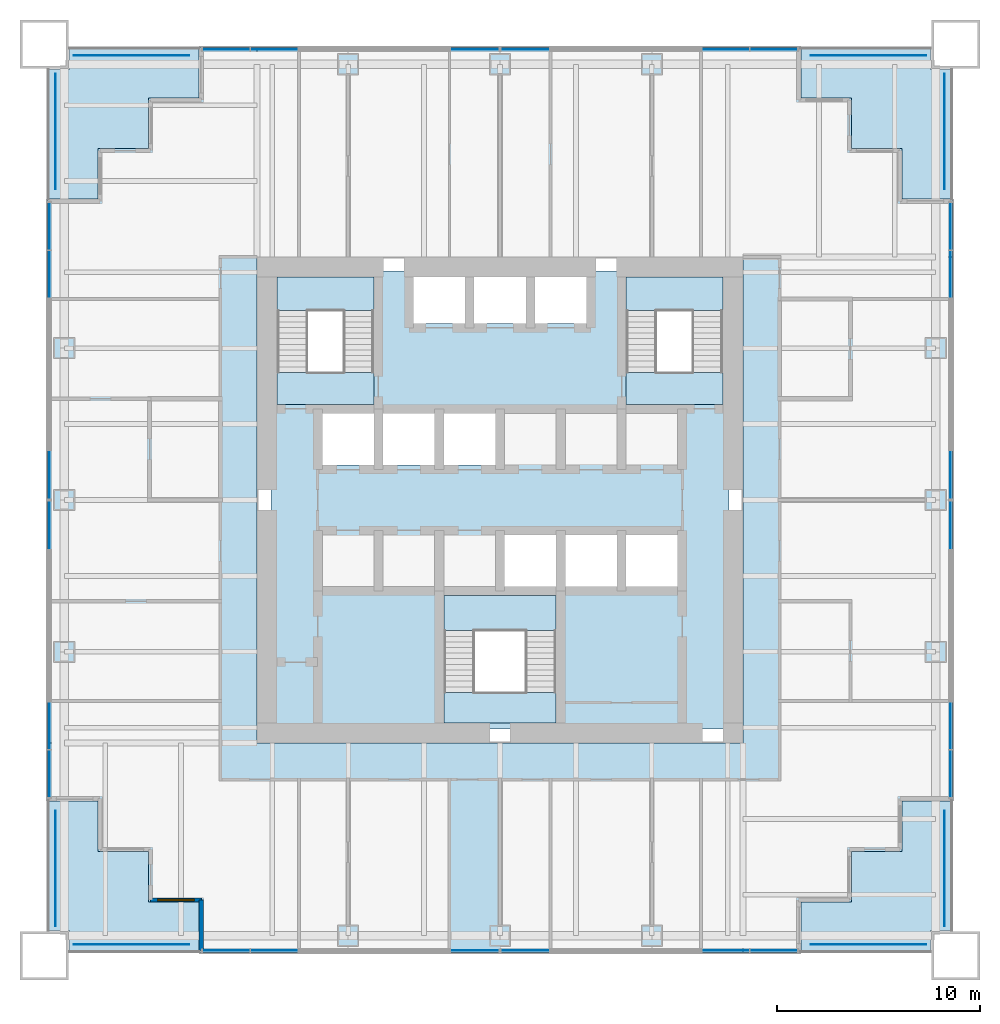
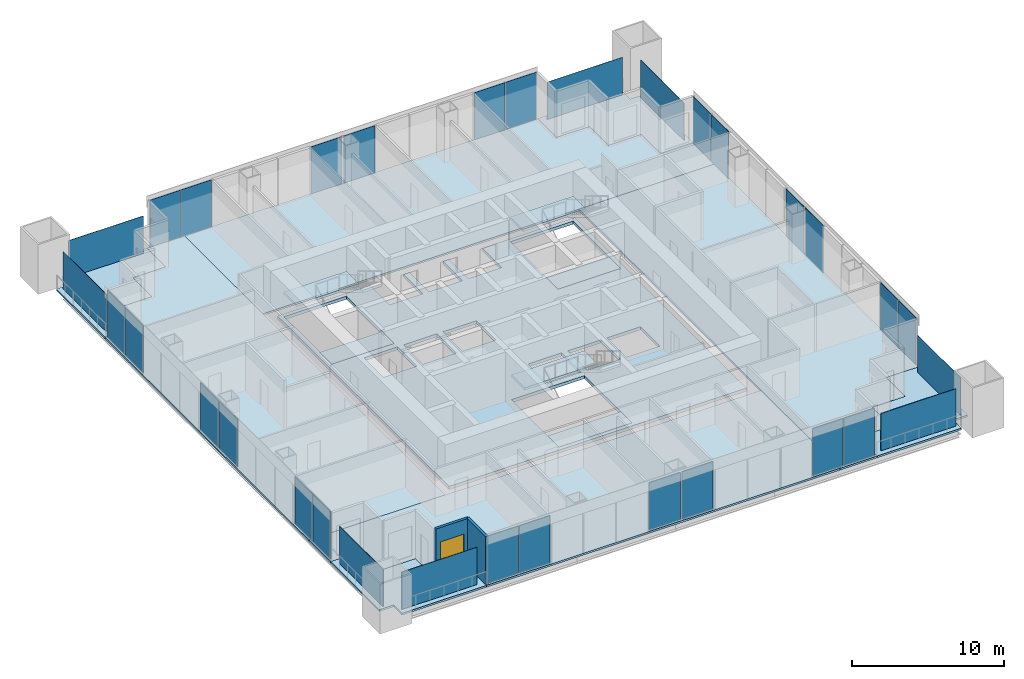
# One storey, part 7 of 13: 32 plates, 15 slabs, 2 walls, 1 window, 1 opening, 19 elements without a shape of their own.
"""IFC4 building model written with IfcOpenShell, lengths in metres."""

from ifc_helpers import new_model, si_unit, direction, frame, frame_2d, origin, origin_2d, place, context, subcontext, project, spatial, polyline, rectangle, outline, extrude, material, layer, layer_set, type_object, element, fill, aggregate, save


model = new_model("IFC4")

# Units and contexts
model_context = context("Model", 3, precision=1e-05, world=origin(), true_north=direction((0.0, 1.0)))
body_context = subcontext(model_context, "Body", "Model", "MODEL_VIEW")
ifc_project = project(units=[si_unit("LENGTHUNIT", "METRE"), si_unit("AREAUNIT", "SQUARE_METRE"), si_unit("VOLUMEUNIT", "CUBIC_METRE"), si_unit("PLANEANGLEUNIT", "RADIAN"), si_unit("MASSUNIT", "GRAM", prefix="KILO")], contexts=[model_context])

# Site, building, storey
site_placement = place(None, origin())
site = spatial("IfcSite", under=ifc_project, at=site_placement, CompositionType="ELEMENT")
building_placement = place(site_placement, origin())
building = spatial("IfcBuilding", under=site, at=building_placement, Name="Tarangal Relay Tower", CompositionType="ELEMENT")
storey_placement = place(building_placement, frame((0.0, 0.0, 189.89990234375)))
storey = spatial("IfcBuildingStorey", under=building, at=storey_placement, Name="L39", CompositionType="ELEMENT", Elevation=189.89990234375)

# Slabs
ifc_material_1 = material(Name="Concrete fc' 35 MPa", Category="concrete")
ifc_layer_1 = layer(ifc_material_1, 0.25)
ifc_layer_set_1 = layer_set([ifc_layer_1], Name="Core floor slab 250")
slab_type_1 = type_object("IfcSlabType", Name="Core floor slab 250", PredefinedType="FLOOR", material=ifc_layer_set_1)
slab_1_placement = place(storey_placement, frame((0.0, 0.0, -0.25)))
element("IfcSlab", 1, at=slab_1_placement, inside=storey, type_object=slab_type_1, Name="Core floor slab L39", PredefinedType="FLOOR", context=body_context, shape_type="SweptSolid", body=[
    extrude(outline(polyline([(11.300048828125, 11.300048828125), (11.300048828125, -11.300048828125), (-11.300048828125, -11.300048828125), (-11.300048828125, 11.300048828125), (-4.27490234375, 11.300048828125), (-4.27490234375, 8.72509765625), (-1.72509765625, 8.72509765625), (-1.72509765625, 11.300048828125), (-1.27490234375, 11.300048828125), (-1.27490234375, 8.72509765625), (1.27490234375, 8.72509765625), (1.27490234375, 11.300048828125), (1.72509765625, 11.300048828125), (1.72509765625, 8.72509765625), (4.27490234375, 8.72509765625), (4.27490234375, 11.300048828125), (11.300048828125, 11.300048828125)]), holes=[polyline([(-6.22509765625, 4.27490234375), (-8.77490234375, 4.27490234375), (-8.77490234375, 1.72509765625), (-6.22509765625, 1.72509765625), (-6.22509765625, 4.27490234375)]), polyline([(-3.22509765625, 1.72509765625), (-3.22509765625, 4.27490234375), (-5.77490234375, 4.27490234375), (-5.77490234375, 1.72509765625), (-3.22509765625, 1.72509765625)]), polyline([(-0.22509765625, 1.72509765625), (-0.22509765625, 4.27490234375), (-2.77490234375, 4.27490234375), (-2.77490234375, 1.72509765625), (-0.22509765625, 1.72509765625)]), polyline([(-6.22509765625, 11.0), (-11.0, 11.0), (-11.0, 4.72509765625), (-6.22509765625, 4.72509765625), (-6.22509765625, 11.0)]), polyline([(2.77490234375, -4.72509765625), (-2.77490234375, -4.72509765625), (-2.77490234375, -11.0), (2.77490234375, -11.0), (2.77490234375, -4.72509765625)]), polyline([(2.77490234375, -4.27490234375), (2.77490234375, -1.72509765625), (0.22509765625, -1.72509765625), (0.22509765625, -4.27490234375), (2.77490234375, -4.27490234375)]), polyline([(5.77490234375, -4.27490234375), (5.77490234375, -1.72509765625), (3.22509765625, -1.72509765625), (3.22509765625, -4.27490234375), (5.77490234375, -4.27490234375)]), polyline([(8.77490234375, -1.72509765625), (6.22509765625, -1.72509765625), (6.22509765625, -4.27490234375), (8.77490234375, -4.27490234375), (8.77490234375, -1.72509765625)]), polyline([(11.0, 4.72509765625), (11.0, 11.0), (6.22509765625, 11.0), (6.22509765625, 4.72509765625), (11.0, 4.72509765625)])]), origin(), (0.0, 0.0, 1.0), 0.25),
])
ifc_layer_2 = layer(ifc_material_1, 0.14990234375)
ifc_layer_set_2 = layer_set([ifc_layer_2], Name="Floor slab 150")
slab_type_2 = type_object("IfcSlabType", Name="Floor slab 150", PredefinedType="FLOOR", material=ifc_layer_set_2)
slab_2_placement = place(storey_placement, frame((0.0, 0.0, -0.14990234375)))
element("IfcSlab", 2, at=slab_2_placement, inside=storey, type_object=slab_type_2, Name="Floor slab FS3 L39 north bay", PredefinedType="FLOOR", context=body_context, shape_type="SweptSolid", body=[
    extrude(outline(polyline([(14.85009765625, 22.35009765625), (14.85009765625, 19.85009765625), (17.35009765625, 19.85009765625), (17.35009765625, 17.35009765625), (19.85009765625, 17.35009765625), (19.85009765625, 14.85009765625), (22.35009765625, 14.85009765625), (22.35009765625, 12.0), (-12.0, 12.0), (-12.0, 22.35009765625), (14.85009765625, 22.35009765625)])), origin(), (0.0, 0.0, 1.0), 0.14990234375),
])
slab_3_placement = place(storey_placement, frame((0.0, 0.0, -0.14990234375)))
element("IfcSlab", 3, at=slab_3_placement, inside=storey, type_object=slab_type_2, Name="Floor slab FS3 L39 east bay", PredefinedType="FLOOR", context=body_context, shape_type="SweptSolid", body=[
    extrude(outline(polyline([(22.35009765625, -14.85009765625), (19.85009765625, -14.85009765625), (19.85009765625, -17.35009765625), (17.35009765625, -17.35009765625), (17.35009765625, -19.85009765625), (14.85009765625, -19.85009765625), (14.85009765625, -22.35009765625), (12.0, -22.35009765625), (12.0, 12.0), (22.35009765625, 12.0), (22.35009765625, -14.85009765625)])), origin(), (0.0, 0.0, 1.0), 0.14990234375),
])
slab_4_placement = place(storey_placement, frame((0.0, 0.0, -0.14990234375)))
element("IfcSlab", 4, at=slab_4_placement, inside=storey, type_object=slab_type_2, Name="Floor slab FS3 L39 south bay", PredefinedType="FLOOR", context=body_context, shape_type="SweptSolid", body=[
    extrude(outline(polyline([(-14.85009765625, -22.35009765625), (-14.85009765625, -19.85009765625), (-17.35009765625, -19.85009765625), (-17.35009765625, -17.35009765625), (-19.85009765625, -17.35009765625), (-19.85009765625, -14.85009765625), (-22.35009765625, -14.85009765625), (-22.35009765625, -12.0), (12.0, -12.0), (12.0, -22.35009765625), (-14.85009765625, -22.35009765625)])), origin(), (0.0, 0.0, 1.0), 0.14990234375),
])
slab_5_placement = place(storey_placement, frame((0.0, 0.0, -0.14990234375)))
element("IfcSlab", 5, at=slab_5_placement, inside=storey, type_object=slab_type_2, Name="Floor slab FS3 L39 west bay", PredefinedType="FLOOR", context=body_context, shape_type="SweptSolid", body=[
    extrude(outline(polyline([(-12.0, 22.35009765625), (-12.0, -12.0), (-22.35009765625, -12.0), (-22.35009765625, 14.85009765625), (-19.85009765625, 14.85009765625), (-19.85009765625, 17.35009765625), (-17.35009765625, 17.35009765625), (-17.35009765625, 19.85009765625), (-14.85009765625, 19.85009765625), (-14.85009765625, 22.35009765625), (-12.0, 22.35009765625)])), origin(), (0.0, 0.0, 1.0), 0.14990234375),
])

# Curtain wall, plates
ifc_material_2 = material(Name="Unitised curtain wall, dark glass and black aluminium", Category="aluminium")
curtain_wall_type = type_object("IfcCurtainWallType", Name="Curtain wall CW-A", PredefinedType="USERDEFINED", material=ifc_material_2)
curtain_wall_1_placement = place(storey_placement, origin())
curtain_wall_1 = element("IfcCurtainWall", 6, at=curtain_wall_1_placement, inside=storey, type_object=curtain_wall_type, Name="Curtain wall CW-A N facade L39", ObjectType="UNITISED CURTAIN WALL", PredefinedType="USERDEFINED")
ifc_material_3 = material(Name="Dark tinted insulated glass unit", Category="glass")
ifc_layer_3 = layer(ifc_material_3, 0.031982421875)
ifc_layer_set_3 = layer_set([ifc_layer_3], Name="Glazed panel CW-A 32")
plate_type_1 = type_object("IfcPlateType", Name="Glazed panel CW-A 32", PredefinedType="CURTAIN_PANEL", material=ifc_layer_set_3)
plate_1_placement = place(storey_placement, frame((-13.525390625, 22.25, 0.06494140625), z_axis=(0.0, 0.0, 1.0), x_axis=(1.0, 0.0, 0.0)))
plate_1 = element("IfcPlate", 7, at=plate_1_placement, type_object=plate_type_1, Name="CW-A panel 1.1", PredefinedType="CURTAIN_PANEL", context=body_context, shape_type="SweptSolid", body=[
    extrude(rectangle(XDim=2.319091796875, YDim=0.031982421875, at=origin_2d()), origin(), (0.0, 0.0, 1.0), 3.784912109375),
])
plate_2_placement = place(storey_placement, frame((-11.141357421875, 22.25, 0.06494140625), z_axis=(0.0, 0.0, 1.0), x_axis=(1.0, 0.0, 0.0)))
plate_2 = element("IfcPlate", 8, at=plate_2_placement, type_object=plate_type_1, Name="CW-A panel 2.1", PredefinedType="CURTAIN_PANEL", context=body_context, shape_type="SweptSolid", body=[
    extrude(rectangle(XDim=2.319091796875, YDim=0.031982421875, at=origin_2d()), origin(), (0.0, 0.0, 1.0), 3.784912109375),
])
aggregate(curtain_wall_1, [plate_1, plate_2])

# Curtain wall, plate
curtain_wall_2_placement = place(storey_placement, origin())
curtain_wall_2 = element("IfcCurtainWall", 9, at=curtain_wall_2_placement, inside=storey, type_object=curtain_wall_type, Name="Curtain wall CW-A N facade L39", ObjectType="UNITISED CURTAIN WALL", PredefinedType="USERDEFINED")
plate_3_placement = place(storey_placement, frame((-1.25, 22.25, 0.06494140625), z_axis=(0.0, 0.0, 1.0), x_axis=(1.0, 0.0, 0.0)))
plate_3 = element("IfcPlate", 10, at=plate_3_placement, type_object=plate_type_1, Name="CW-A panel 1.1", PredefinedType="CURTAIN_PANEL", context=body_context, shape_type="SweptSolid", body=[
    extrude(rectangle(XDim=2.3701171875, YDim=0.031982421875, at=origin_2d()), origin(), (0.0, 0.0, 1.0), 3.784912109375),
])
aggregate(curtain_wall_2, [plate_3])

curtain_wall_3_placement = place(storey_placement, origin())
curtain_wall_3 = element("IfcCurtainWall", 11, at=curtain_wall_3_placement, inside=storey, type_object=curtain_wall_type, Name="Curtain wall CW-A N facade L39", ObjectType="UNITISED CURTAIN WALL", PredefinedType="USERDEFINED")
plate_4_placement = place(storey_placement, frame((1.25, 22.25, 0.06494140625), z_axis=(0.0, 0.0, 1.0), x_axis=(1.0, 0.0, 0.0)))
plate_4 = element("IfcPlate", 12, at=plate_4_placement, type_object=plate_type_1, Name="CW-A panel 1.1", PredefinedType="CURTAIN_PANEL", context=body_context, shape_type="SweptSolid", body=[
    extrude(rectangle(XDim=2.3701171875, YDim=0.031982421875, at=origin_2d()), origin(), (0.0, 0.0, 1.0), 3.784912109375),
])
aggregate(curtain_wall_3, [plate_4])

# Curtain wall, plates
curtain_wall_4_placement = place(storey_placement, origin())
curtain_wall_4 = element("IfcCurtainWall", 13, at=curtain_wall_4_placement, inside=storey, type_object=curtain_wall_type, Name="Curtain wall CW-A N facade L39", ObjectType="UNITISED CURTAIN WALL", PredefinedType="USERDEFINED")
plate_5_placement = place(storey_placement, frame((11.141357421875, 22.25, 0.06494140625), z_axis=(0.0, 0.0, 1.0), x_axis=(1.0, 0.0, 0.0)))
plate_5 = element("IfcPlate", 14, at=plate_5_placement, type_object=plate_type_1, Name="CW-A panel 1.1", PredefinedType="CURTAIN_PANEL", context=body_context, shape_type="SweptSolid", body=[
    extrude(rectangle(XDim=2.319091796875, YDim=0.031982421875, at=origin_2d()), origin(), (0.0, 0.0, 1.0), 3.784912109375),
])
plate_6_placement = place(storey_placement, frame((13.525390625, 22.25, 0.06494140625), z_axis=(0.0, 0.0, 1.0), x_axis=(1.0, 0.0, 0.0)))
plate_6 = element("IfcPlate", 15, at=plate_6_placement, type_object=plate_type_1, Name="CW-A panel 2.1", PredefinedType="CURTAIN_PANEL", context=body_context, shape_type="SweptSolid", body=[
    extrude(rectangle(XDim=2.319091796875, YDim=0.031982421875, at=origin_2d()), origin(), (0.0, 0.0, 1.0), 3.784912109375),
])
aggregate(curtain_wall_4, [plate_5, plate_6])

curtain_wall_5_placement = place(storey_placement, origin())
curtain_wall_5 = element("IfcCurtainWall", 16, at=curtain_wall_5_placement, inside=storey, type_object=curtain_wall_type, Name="Curtain wall CW-A E facade L39", ObjectType="UNITISED CURTAIN WALL", PredefinedType="USERDEFINED")
plate_7_placement = place(storey_placement, frame((22.25, 13.525390625, 0.06494140625), z_axis=(0.0, 0.0, 1.0), x_axis=(0.0, -1.0, 0.0)))
plate_7 = element("IfcPlate", 17, at=plate_7_placement, type_object=plate_type_1, Name="CW-A panel 1.1", PredefinedType="CURTAIN_PANEL", context=body_context, shape_type="SweptSolid", body=[
    extrude(rectangle(XDim=2.319091796875, YDim=0.031982421875, at=origin_2d()), origin(), (0.0, 0.0, 1.0), 3.784912109375),
])
plate_8_placement = place(storey_placement, frame((22.25, 11.141357421875, 0.06494140625), z_axis=(0.0, 0.0, 1.0), x_axis=(0.0, -1.0, 0.0)))
plate_8 = element("IfcPlate", 18, at=plate_8_placement, type_object=plate_type_1, Name="CW-A panel 2.1", PredefinedType="CURTAIN_PANEL", context=body_context, shape_type="SweptSolid", body=[
    extrude(rectangle(XDim=2.319091796875, YDim=0.031982421875, at=origin_2d()), origin(), (0.0, 0.0, 1.0), 3.784912109375),
])
aggregate(curtain_wall_5, [plate_7, plate_8])

# Curtain wall, plate
curtain_wall_6_placement = place(storey_placement, origin())
curtain_wall_6 = element("IfcCurtainWall", 19, at=curtain_wall_6_placement, inside=storey, type_object=curtain_wall_type, Name="Curtain wall CW-A E facade L39", ObjectType="UNITISED CURTAIN WALL", PredefinedType="USERDEFINED")
plate_9_placement = place(storey_placement, frame((22.25, 1.25, 0.06494140625), z_axis=(0.0, 0.0, 1.0), x_axis=(0.0, -1.0, 0.0)))
plate_9 = element("IfcPlate", 20, at=plate_9_placement, type_object=plate_type_1, Name="CW-A panel 1.1", PredefinedType="CURTAIN_PANEL", context=body_context, shape_type="SweptSolid", body=[
    extrude(rectangle(XDim=2.3701171875, YDim=0.031982421875, at=origin_2d()), origin(), (0.0, 0.0, 1.0), 3.784912109375),
])
aggregate(curtain_wall_6, [plate_9])

curtain_wall_7_placement = place(storey_placement, origin())
curtain_wall_7 = element("IfcCurtainWall", 21, at=curtain_wall_7_placement, inside=storey, type_object=curtain_wall_type, Name="Curtain wall CW-A E facade L39", ObjectType="UNITISED CURTAIN WALL", PredefinedType="USERDEFINED")
plate_10_placement = place(storey_placement, frame((22.25, -1.25, 0.06494140625), z_axis=(0.0, 0.0, 1.0), x_axis=(0.0, -1.0, 0.0)))
plate_10 = element("IfcPlate", 22, at=plate_10_placement, type_object=plate_type_1, Name="CW-A panel 1.1", PredefinedType="CURTAIN_PANEL", context=body_context, shape_type="SweptSolid", body=[
    extrude(rectangle(XDim=2.3701171875, YDim=0.031982421875, at=origin_2d()), origin(), (0.0, 0.0, 1.0), 3.784912109375),
])
aggregate(curtain_wall_7, [plate_10])

# Curtain wall, plates
curtain_wall_8_placement = place(storey_placement, origin())
curtain_wall_8 = element("IfcCurtainWall", 23, at=curtain_wall_8_placement, inside=storey, type_object=curtain_wall_type, Name="Curtain wall CW-A E facade L39", ObjectType="UNITISED CURTAIN WALL", PredefinedType="USERDEFINED")
plate_11_placement = place(storey_placement, frame((22.25, -11.141357421875, 0.06494140625), z_axis=(0.0, 0.0, 1.0), x_axis=(0.0, -1.0, 0.0)))
plate_11 = element("IfcPlate", 24, at=plate_11_placement, type_object=plate_type_1, Name="CW-A panel 1.1", PredefinedType="CURTAIN_PANEL", context=body_context, shape_type="SweptSolid", body=[
    extrude(rectangle(XDim=2.319091796875, YDim=0.031982421875, at=origin_2d()), origin(), (0.0, 0.0, 1.0), 3.784912109375),
])
plate_12_placement = place(storey_placement, frame((22.25, -13.525390625, 0.06494140625), z_axis=(0.0, 0.0, 1.0), x_axis=(0.0, -1.0, 0.0)))
plate_12 = element("IfcPlate", 25, at=plate_12_placement, type_object=plate_type_1, Name="CW-A panel 2.1", PredefinedType="CURTAIN_PANEL", context=body_context, shape_type="SweptSolid", body=[
    extrude(rectangle(XDim=2.319091796875, YDim=0.031982421875, at=origin_2d()), origin(), (0.0, 0.0, 1.0), 3.784912109375),
])
aggregate(curtain_wall_8, [plate_11, plate_12])

curtain_wall_9_placement = place(storey_placement, origin())
curtain_wall_9 = element("IfcCurtainWall", 26, at=curtain_wall_9_placement, inside=storey, type_object=curtain_wall_type, Name="Curtain wall CW-A S facade L39", ObjectType="UNITISED CURTAIN WALL", PredefinedType="USERDEFINED")
plate_13_placement = place(storey_placement, frame((13.525390625, -22.25, 0.06494140625), z_axis=(0.0, 0.0, 1.0), x_axis=(-1.0, 0.0, 0.0)))
plate_13 = element("IfcPlate", 27, at=plate_13_placement, type_object=plate_type_1, Name="CW-A panel 1.1", PredefinedType="CURTAIN_PANEL", context=body_context, shape_type="SweptSolid", body=[
    extrude(rectangle(XDim=2.319091796875, YDim=0.031982421875, at=origin_2d()), origin(), (0.0, 0.0, 1.0), 3.784912109375),
])
plate_14_placement = place(storey_placement, frame((11.141357421875, -22.25, 0.06494140625), z_axis=(0.0, 0.0, 1.0), x_axis=(-1.0, 0.0, 0.0)))
plate_14 = element("IfcPlate", 28, at=plate_14_placement, type_object=plate_type_1, Name="CW-A panel 2.1", PredefinedType="CURTAIN_PANEL", context=body_context, shape_type="SweptSolid", body=[
    extrude(rectangle(XDim=2.319091796875, YDim=0.031982421875, at=origin_2d()), origin(), (0.0, 0.0, 1.0), 3.784912109375),
])
aggregate(curtain_wall_9, [plate_13, plate_14])

# Curtain wall, plate
curtain_wall_10_placement = place(storey_placement, origin())
curtain_wall_10 = element("IfcCurtainWall", 29, at=curtain_wall_10_placement, inside=storey, type_object=curtain_wall_type, Name="Curtain wall CW-A S facade L39", ObjectType="UNITISED CURTAIN WALL", PredefinedType="USERDEFINED")
plate_15_placement = place(storey_placement, frame((1.25, -22.25, 0.06494140625), z_axis=(0.0, 0.0, 1.0), x_axis=(-1.0, 0.0, 0.0)))
plate_15 = element("IfcPlate", 30, at=plate_15_placement, type_object=plate_type_1, Name="CW-A panel 1.1", PredefinedType="CURTAIN_PANEL", context=body_context, shape_type="SweptSolid", body=[
    extrude(rectangle(XDim=2.3701171875, YDim=0.031982421875, at=origin_2d()), origin(), (0.0, 0.0, 1.0), 3.784912109375),
])
aggregate(curtain_wall_10, [plate_15])

curtain_wall_11_placement = place(storey_placement, origin())
curtain_wall_11 = element("IfcCurtainWall", 31, at=curtain_wall_11_placement, inside=storey, type_object=curtain_wall_type, Name="Curtain wall CW-A S facade L39", ObjectType="UNITISED CURTAIN WALL", PredefinedType="USERDEFINED")
plate_16_placement = place(storey_placement, frame((-1.25, -22.25, 0.06494140625), z_axis=(0.0, 0.0, 1.0), x_axis=(-1.0, 0.0, 0.0)))
plate_16 = element("IfcPlate", 32, at=plate_16_placement, type_object=plate_type_1, Name="CW-A panel 1.1", PredefinedType="CURTAIN_PANEL", context=body_context, shape_type="SweptSolid", body=[
    extrude(rectangle(XDim=2.3701171875, YDim=0.031982421875, at=origin_2d()), origin(), (0.0, 0.0, 1.0), 3.784912109375),
])
aggregate(curtain_wall_11, [plate_16])

# Curtain wall, plates
curtain_wall_12_placement = place(storey_placement, origin())
curtain_wall_12 = element("IfcCurtainWall", 33, at=curtain_wall_12_placement, inside=storey, type_object=curtain_wall_type, Name="Curtain wall CW-A S facade L39", ObjectType="UNITISED CURTAIN WALL", PredefinedType="USERDEFINED")
plate_17_placement = place(storey_placement, frame((-11.141357421875, -22.25, 0.06494140625), z_axis=(0.0, 0.0, 1.0), x_axis=(-1.0, 0.0, 0.0)))
plate_17 = element("IfcPlate", 34, at=plate_17_placement, type_object=plate_type_1, Name="CW-A panel 1.1", PredefinedType="CURTAIN_PANEL", context=body_context, shape_type="SweptSolid", body=[
    extrude(rectangle(XDim=2.319091796875, YDim=0.031982421875, at=origin_2d()), origin(), (0.0, 0.0, 1.0), 3.784912109375),
])
plate_18_placement = place(storey_placement, frame((-13.525390625, -22.25, 0.06494140625), z_axis=(0.0, 0.0, 1.0), x_axis=(-1.0, 0.0, 0.0)))
plate_18 = element("IfcPlate", 35, at=plate_18_placement, type_object=plate_type_1, Name="CW-A panel 2.1", PredefinedType="CURTAIN_PANEL", context=body_context, shape_type="SweptSolid", body=[
    extrude(rectangle(XDim=2.319091796875, YDim=0.031982421875, at=origin_2d()), origin(), (0.0, 0.0, 1.0), 3.784912109375),
])
aggregate(curtain_wall_12, [plate_17, plate_18])

curtain_wall_13_placement = place(storey_placement, origin())
curtain_wall_13 = element("IfcCurtainWall", 36, at=curtain_wall_13_placement, inside=storey, type_object=curtain_wall_type, Name="Curtain wall CW-A W facade L39", ObjectType="UNITISED CURTAIN WALL", PredefinedType="USERDEFINED")
plate_19_placement = place(storey_placement, frame((-22.25, -13.525390625, 0.06494140625), z_axis=(0.0, 0.0, 1.0), x_axis=(0.0, 1.0, 0.0)))
plate_19 = element("IfcPlate", 37, at=plate_19_placement, type_object=plate_type_1, Name="CW-A panel 1.1", PredefinedType="CURTAIN_PANEL", context=body_context, shape_type="SweptSolid", body=[
    extrude(rectangle(XDim=2.319091796875, YDim=0.031982421875, at=origin_2d()), origin(), (0.0, 0.0, 1.0), 3.784912109375),
])
plate_20_placement = place(storey_placement, frame((-22.25, -11.141357421875, 0.06494140625), z_axis=(0.0, 0.0, 1.0), x_axis=(0.0, 1.0, 0.0)))
plate_20 = element("IfcPlate", 38, at=plate_20_placement, type_object=plate_type_1, Name="CW-A panel 2.1", PredefinedType="CURTAIN_PANEL", context=body_context, shape_type="SweptSolid", body=[
    extrude(rectangle(XDim=2.319091796875, YDim=0.031982421875, at=origin_2d()), origin(), (0.0, 0.0, 1.0), 3.784912109375),
])
aggregate(curtain_wall_13, [plate_19, plate_20])

# Curtain wall, plate
curtain_wall_14_placement = place(storey_placement, origin())
curtain_wall_14 = element("IfcCurtainWall", 39, at=curtain_wall_14_placement, inside=storey, type_object=curtain_wall_type, Name="Curtain wall CW-A W facade L39", ObjectType="UNITISED CURTAIN WALL", PredefinedType="USERDEFINED")
plate_21_placement = place(storey_placement, frame((-22.25, -1.25, 0.06494140625), z_axis=(0.0, 0.0, 1.0), x_axis=(0.0, 1.0, 0.0)))
plate_21 = element("IfcPlate", 40, at=plate_21_placement, type_object=plate_type_1, Name="CW-A panel 1.1", PredefinedType="CURTAIN_PANEL", context=body_context, shape_type="SweptSolid", body=[
    extrude(rectangle(XDim=2.3701171875, YDim=0.031982421875, at=origin_2d()), origin(), (0.0, 0.0, 1.0), 3.784912109375),
])
aggregate(curtain_wall_14, [plate_21])

curtain_wall_15_placement = place(storey_placement, origin())
curtain_wall_15 = element("IfcCurtainWall", 41, at=curtain_wall_15_placement, inside=storey, type_object=curtain_wall_type, Name="Curtain wall CW-A W facade L39", ObjectType="UNITISED CURTAIN WALL", PredefinedType="USERDEFINED")
plate_22_placement = place(storey_placement, frame((-22.25, 1.25, 0.06494140625), z_axis=(0.0, 0.0, 1.0), x_axis=(0.0, 1.0, 0.0)))
plate_22 = element("IfcPlate", 42, at=plate_22_placement, type_object=plate_type_1, Name="CW-A panel 1.1", PredefinedType="CURTAIN_PANEL", context=body_context, shape_type="SweptSolid", body=[
    extrude(rectangle(XDim=2.3701171875, YDim=0.031982421875, at=origin_2d()), origin(), (0.0, 0.0, 1.0), 3.784912109375),
])
aggregate(curtain_wall_15, [plate_22])

# Curtain wall, plates
curtain_wall_16_placement = place(storey_placement, origin())
curtain_wall_16 = element("IfcCurtainWall", 43, at=curtain_wall_16_placement, inside=storey, type_object=curtain_wall_type, Name="Curtain wall CW-A W facade L39", ObjectType="UNITISED CURTAIN WALL", PredefinedType="USERDEFINED")
plate_23_placement = place(storey_placement, frame((-22.25, 11.141357421875, 0.06494140625), z_axis=(0.0, 0.0, 1.0), x_axis=(0.0, 1.0, 0.0)))
plate_23 = element("IfcPlate", 44, at=plate_23_placement, type_object=plate_type_1, Name="CW-A panel 1.1", PredefinedType="CURTAIN_PANEL", context=body_context, shape_type="SweptSolid", body=[
    extrude(rectangle(XDim=2.319091796875, YDim=0.031982421875, at=origin_2d()), origin(), (0.0, 0.0, 1.0), 3.784912109375),
])
plate_24_placement = place(storey_placement, frame((-22.25, 13.525390625, 0.06494140625), z_axis=(0.0, 0.0, 1.0), x_axis=(0.0, 1.0, 0.0)))
plate_24 = element("IfcPlate", 45, at=plate_24_placement, type_object=plate_type_1, Name="CW-A panel 2.1", PredefinedType="CURTAIN_PANEL", context=body_context, shape_type="SweptSolid", body=[
    extrude(rectangle(XDim=2.319091796875, YDim=0.031982421875, at=origin_2d()), origin(), (0.0, 0.0, 1.0), 3.784912109375),
])
aggregate(curtain_wall_16, [plate_23, plate_24])

# Plates
ifc_material_4 = material(Name="Black stainless steel cable trellis with climbing planting", Category="steel")
ifc_layer_4 = layer(ifc_material_4, 0.030029296875)
ifc_layer_set_4 = layer_set([ifc_layer_4], Name="Planted trellis screen")
plate_type_2 = type_object("IfcPlateType", Name="Planted trellis screen", PredefinedType="SHEET", material=ifc_layer_set_4)
for number, where, z_axis, x_axis, name in (
    (46, (21.949951171875, 18.199951171875, 0.0), (0.0, 0.0, 1.0), (0.0, -1.0, 0.0), "Planted trellis SC2 NE L39"),
    (47, (18.199951171875, -21.949951171875, 0.0), (0.0, 0.0, 1.0), (-1.0, 0.0, 0.0), "Planted trellis SC2 SE L39"),
    (48, (-21.949951171875, -18.199951171875, 0.0), (0.0, 0.0, 1.0), (0.0, 1.0, 0.0), "Planted trellis SC2 SW L39"),
    (49, (-18.199951171875, 21.949951171875, 0.0), (0.0, 0.0, 1.0), (1.0, 0.0, 0.0), "Planted trellis SC2 NW L39"),
):
    element("IfcPlate", number, at=place(storey_placement, frame(where, z_axis=z_axis, x_axis=x_axis)), inside=storey, type_object=plate_type_2, Name=name, PredefinedType="SHEET", context=body_context, shape_type="SweptSolid", body=[
        extrude(rectangle(XDim=5.699951171875, YDim=0.030029296875, at=origin_2d()), origin(), (0.0, 0.0, 1.0), 3.0),
    ])

# Stair, slabs
ifc_material_5 = material(Name="Steel ASTM A992 stair flight", Category="steel")
stair_type = type_object("IfcStairType", Name="Core stair 1500", PredefinedType="HALF_TURN_STAIR", material=ifc_material_5)
stair_1_placement = place(storey_placement, origin())
stair_1 = element("IfcStair", 50, at=stair_1_placement, inside=storey, type_object=stair_type, Name="Stair ST-A L39", PredefinedType="HALF_TURN_STAIR")
ifc_layer_5 = layer(ifc_material_1, 0.199951171875)
ifc_layer_set_5 = layer_set([ifc_layer_5], Name="Stair landing 200")
slab_type_3 = type_object("IfcSlabType", Name="Stair landing 200", PredefinedType="LANDING", material=ifc_layer_set_5)
slab_6_placement = place(storey_placement, frame((0.0, 0.0, -0.199951171875)))
slab_6 = element("IfcSlab", 51, at=slab_6_placement, type_object=slab_type_3, Name="ST-A landing 1", PredefinedType="LANDING", context=body_context, shape_type="SweptSolid", body=[
    extrude(outline(polyline([(-11.0, 4.72509765625), (-6.22509765625, 4.72509765625), (-6.22509765625, 6.300048828125), (-11.0, 6.300048828125), (-11.0, 4.72509765625)])), origin(), (0.0, 0.0, 1.0), 0.199951171875),
])
slab_7_placement = place(storey_placement, frame((0.0, 0.0, 1.800048828125)))
slab_7 = element("IfcSlab", 52, at=slab_7_placement, type_object=slab_type_3, Name="ST-A landing 2", PredefinedType="LANDING", context=body_context, shape_type="SweptSolid", body=[
    extrude(outline(polyline([(-11.0, 9.346923828125), (-6.22509765625, 9.346923828125), (-6.22509765625, 11.0), (-11.0, 11.0), (-11.0, 9.346923828125)])), origin(), (0.0, 0.0, 1.0), 0.199951171875),
])
aggregate(stair_1, [slab_6, slab_7])

stair_2_placement = place(storey_placement, origin())
stair_2 = element("IfcStair", 53, at=stair_2_placement, inside=storey, type_object=stair_type, Name="Stair ST-B L39", PredefinedType="HALF_TURN_STAIR")
slab_8_placement = place(storey_placement, frame((0.0, 0.0, -0.199951171875)))
slab_8 = element("IfcSlab", 54, at=slab_8_placement, type_object=slab_type_3, Name="ST-B landing 1", PredefinedType="LANDING", context=body_context, shape_type="SweptSolid", body=[
    extrude(outline(polyline([(6.22509765625, 4.72509765625), (11.0, 4.72509765625), (11.0, 6.300048828125), (6.22509765625, 6.300048828125), (6.22509765625, 4.72509765625)])), origin(), (0.0, 0.0, 1.0), 0.199951171875),
])
slab_9_placement = place(storey_placement, frame((0.0, 0.0, 1.800048828125)))
slab_9 = element("IfcSlab", 55, at=slab_9_placement, type_object=slab_type_3, Name="ST-B landing 2", PredefinedType="LANDING", context=body_context, shape_type="SweptSolid", body=[
    extrude(outline(polyline([(6.22509765625, 9.346923828125), (11.0, 9.346923828125), (11.0, 11.0), (6.22509765625, 11.0), (6.22509765625, 9.346923828125)])), origin(), (0.0, 0.0, 1.0), 0.199951171875),
])
aggregate(stair_2, [slab_8, slab_9])

stair_3_placement = place(storey_placement, origin())
stair_3 = element("IfcStair", 56, at=stair_3_placement, inside=storey, type_object=stair_type, Name="Stair ST-C L39", PredefinedType="HALF_TURN_STAIR")
slab_10_placement = place(storey_placement, frame((0.0, 0.0, -0.199951171875)))
slab_10 = element("IfcSlab", 57, at=slab_10_placement, type_object=slab_type_3, Name="ST-C landing 1", PredefinedType="LANDING", context=body_context, shape_type="SweptSolid", body=[
    extrude(outline(polyline([(-2.77490234375, -11.0), (2.77490234375, -11.0), (2.77490234375, -9.5), (-2.77490234375, -9.5), (-2.77490234375, -11.0)])), origin(), (0.0, 0.0, 1.0), 0.199951171875),
])
slab_11_placement = place(storey_placement, frame((0.0, 0.0, 1.800048828125)))
slab_11 = element("IfcSlab", 58, at=slab_11_placement, type_object=slab_type_3, Name="ST-C landing 2", PredefinedType="LANDING", context=body_context, shape_type="SweptSolid", body=[
    extrude(outline(polyline([(-2.77490234375, -6.452880859375), (2.77490234375, -6.452880859375), (2.77490234375, -4.72509765625), (-2.77490234375, -4.72509765625), (-2.77490234375, -6.452880859375)])), origin(), (0.0, 0.0, 1.0), 0.199951171875),
])
aggregate(stair_3, [slab_10, slab_11])

# Plates
ifc_material_6 = material(Name="Perforated black aluminium screen", Category="aluminium")
ifc_layer_6 = layer(ifc_material_6, 0.02001953125)
ifc_layer_set_6 = layer_set([ifc_layer_6], Name="Terrace screen panel")
plate_type_3 = type_object("IfcPlateType", Name="Terrace screen panel", PredefinedType="SHEET", material=ifc_layer_set_6)
for number, where, z_axis, x_axis, name in (
    (59, (18.199951171875, 21.949951171875, 0.0), (0.0, 0.0, 1.0), (1.0, 0.0, 0.0), "Terrace screen SC1 NE L39"),
    (60, (21.949951171875, -18.199951171875, 0.0), (0.0, 0.0, 1.0), (0.0, -1.0, 0.0), "Terrace screen SC1 SE L39"),
    (61, (-18.199951171875, -21.949951171875, 0.0), (0.0, 0.0, 1.0), (-1.0, 0.0, 0.0), "Terrace screen SC1 SW L39"),
    (62, (-21.949951171875, 18.199951171875, 0.0), (0.0, 0.0, 1.0), (0.0, 1.0, 0.0), "Terrace screen SC1 NW L39"),
):
    element("IfcPlate", number, at=place(storey_placement, frame(where, z_axis=z_axis, x_axis=x_axis)), inside=storey, type_object=plate_type_3, Name=name, PredefinedType="SHEET", context=body_context, shape_type="SweptSolid", body=[
        extrude(rectangle(XDim=5.699951171875, YDim=0.02001953125, at=origin_2d()), origin(), (0.0, 0.0, 1.0), 3.0),
    ])

# Slabs
ifc_layer_7 = layer(ifc_material_1, 0.14990234375)
ifc_layer_set_7 = layer_set([ifc_layer_7], Name="Terrace slab 150")
slab_type_4 = type_object("IfcSlabType", Name="Terrace slab 150", PredefinedType="FLOOR", material=ifc_layer_set_7)
slab_12_placement = place(storey_placement, frame((0.0, 0.0, -0.14990234375)))
element("IfcSlab", 63, at=slab_12_placement, inside=storey, type_object=slab_type_4, Name="Corner terrace NE L39", PredefinedType="FLOOR", context=body_context, shape_type="SweptSolid", body=[
    extrude(outline(polyline([(14.85009765625, 22.35009765625), (14.85009765625, 19.85009765625), (17.35009765625, 19.85009765625), (17.35009765625, 17.35009765625), (19.85009765625, 17.35009765625), (19.85009765625, 14.85009765625), (22.35009765625, 14.85009765625), (22.35009765625, 21.25), (21.25, 21.25), (21.25, 22.35009765625), (14.85009765625, 22.35009765625)])), origin(), (0.0, 0.0, 1.0), 0.14990234375),
])
slab_13_placement = place(storey_placement, frame((0.0, 0.0, -0.14990234375)))
element("IfcSlab", 64, at=slab_13_placement, inside=storey, type_object=slab_type_4, Name="Corner terrace SE L39", PredefinedType="FLOOR", context=body_context, shape_type="SweptSolid", body=[
    extrude(outline(polyline([(22.35009765625, -14.85009765625), (19.85009765625, -14.85009765625), (19.85009765625, -17.35009765625), (17.35009765625, -17.35009765625), (17.35009765625, -19.85009765625), (14.85009765625, -19.85009765625), (14.85009765625, -22.35009765625), (21.25, -22.35009765625), (21.25, -21.25), (22.35009765625, -21.25), (22.35009765625, -14.85009765625)])), origin(), (0.0, 0.0, 1.0), 0.14990234375),
])
slab_14_placement = place(storey_placement, frame((0.0, 0.0, -0.14990234375)))
element("IfcSlab", 65, at=slab_14_placement, inside=storey, type_object=slab_type_4, Name="Corner terrace SW L39", PredefinedType="FLOOR", context=body_context, shape_type="SweptSolid", body=[
    extrude(outline(polyline([(-14.85009765625, -22.35009765625), (-14.85009765625, -19.85009765625), (-17.35009765625, -19.85009765625), (-17.35009765625, -17.35009765625), (-19.85009765625, -17.35009765625), (-19.85009765625, -14.85009765625), (-22.35009765625, -14.85009765625), (-22.35009765625, -21.25), (-21.25, -21.25), (-21.25, -22.35009765625), (-14.85009765625, -22.35009765625)])), origin(), (0.0, 0.0, 1.0), 0.14990234375),
])
slab_15_placement = place(storey_placement, frame((0.0, 0.0, -0.14990234375)))
element("IfcSlab", 66, at=slab_15_placement, inside=storey, type_object=slab_type_4, Name="Corner terrace NW L39", PredefinedType="FLOOR", context=body_context, shape_type="SweptSolid", body=[
    extrude(outline(polyline([(-22.35009765625, 14.85009765625), (-19.85009765625, 14.85009765625), (-19.85009765625, 17.35009765625), (-17.35009765625, 17.35009765625), (-17.35009765625, 19.85009765625), (-14.85009765625, 19.85009765625), (-14.85009765625, 22.35009765625), (-21.25, 22.35009765625), (-21.25, 21.25), (-22.35009765625, 21.25), (-22.35009765625, 14.85009765625)])), origin(), (0.0, 0.0, 1.0), 0.14990234375),
])

# Wall
ifc_material_7 = material(Name="Black metal clad insulated wall", Category="steel")
ifc_layer_8 = layer(ifc_material_7, 0.199951171875)
ifc_layer_set_8 = layer_set([ifc_layer_8], Name="Corner wall metal clad 200")
wall_type = type_object("IfcWallType", Name="Corner wall metal clad 200", PredefinedType="SOLIDWALL", material=ifc_layer_set_8)
wall_1_placement = place(storey_placement, frame((-14.75, -22.25, 0.0), z_axis=(0.0, 0.0, 1.0), x_axis=(0.0, 1.0, 0.0)))
element("IfcWall", 67, at=wall_1_placement, inside=storey, type_object=wall_type, Name="Facade wall S facade L39", PredefinedType="SOLIDWALL", context=body_context, shape_type="SweptSolid", body=[
    extrude(rectangle(XDim=2.5, YDim=0.199951171875, at=frame_2d((1.25, 0.0))), origin(), (0.0, 0.0, 1.0), 3.85009765625),
])

# Wall, opening, window
wall_2_placement = place(storey_placement, frame((-14.75, -19.75, 0.0), z_axis=(0.0, 0.0, 1.0), x_axis=(-1.0, 0.0, 0.0)))
wall_2 = element("IfcWall", 68, at=wall_2_placement, inside=storey, type_object=wall_type, Name="Facade wall S facade L39", PredefinedType="SOLIDWALL", context=body_context, shape_type="SweptSolid", body=[
    extrude(rectangle(XDim=2.5, YDim=0.199951171875, at=frame_2d((1.25, 0.0))), origin(), (0.0, 0.0, 1.0), 3.85009765625),
])
opening_placement = place(wall_2_placement, frame((0.35009765625, 0.0, 0.300048828125)))
opening = element("IfcOpeningElement", 69, at=opening_placement, cuts=wall_2, Name="Opening WN2", PredefinedType="OPENING", context=body_context, shape_type="SweptSolid", body=[
    extrude(rectangle(XDim=1.800048828125, YDim=2.39990234375, at=frame_2d((0.89990234375, 1.199951171875))), frame((0.0, 0.10986328125, 0.0), z_axis=(0.0, -1.0, 0.0), x_axis=(1.0, 0.0, 0.0)), (0.0, 0.0, 1.0), 0.219970703125),
])
ifc_material_8 = material(Name="Dark tinted double glazing in black aluminium frame", Category="aluminium")
window_type = type_object("IfcWindowType", Name="Corner window 1800 x 2400", PartitioningType="SINGLE_PANEL", PredefinedType="WINDOW", material=ifc_material_8)
window_placement = place(opening_placement, origin())
window = element("IfcWindow", 70, at=window_placement, inside=storey, type_object=window_type, Name="Corner window WN2 S facade L39", OverallHeight=2.39990234375, OverallWidth=1.800048828125, PartitioningType="SINGLE_PANEL", PredefinedType="WINDOW", context=body_context, shape_type="SweptSolid", body=[
    extrude(rectangle(XDim=1.800048828125, YDim=2.39990234375, at=frame_2d((0.89990234375, 1.199951171875))), frame((0.0, 0.030029296875, 0.0), z_axis=(0.0, -1.0, 0.0), x_axis=(1.0, 0.0, 0.0)), (0.0, 0.0, 1.0), 0.06005859375),
])
fill(opening, window)

save(model, "model.ifc")
